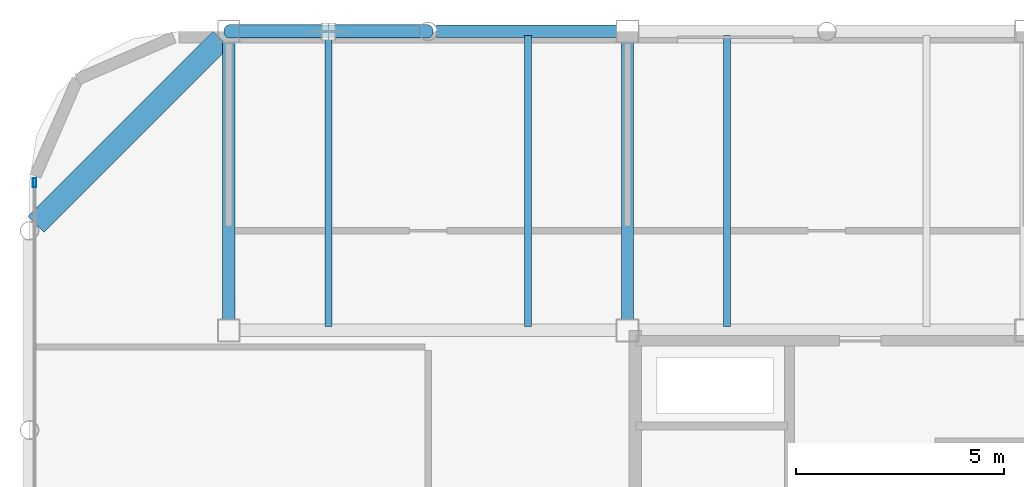
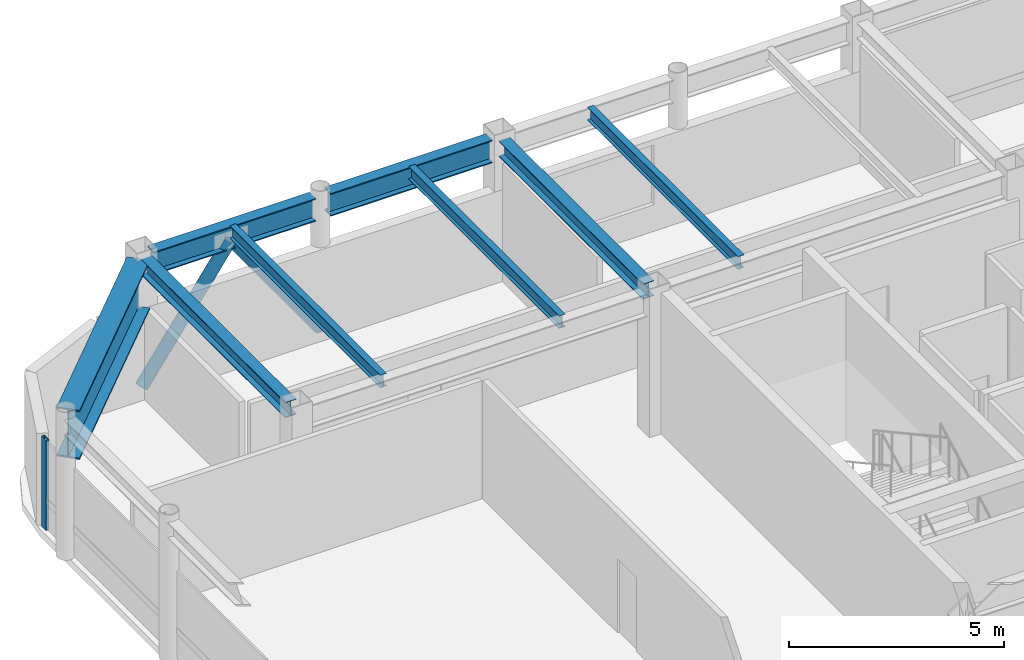
# One storey, part 12 of 21: 8 beams, 3 members, 1 element without a shape of its own.
"""IFC4 building model written with IfcOpenShell, lengths in metres."""

from ifc_helpers import new_model, si_unit, direction, frame, origin, origin_2d, place, context, subcontext, project, spatial, hollow_rectangle, hollow_circle, i_section, extrude, material, layer, layer_set, material_profile, profile_set, type_object, element, aggregate, save


model = new_model("IFC4")

# Units and contexts
model_context = context("Model", 3, precision=1e-05, world=origin(), true_north=direction((0.0, 1.0)))
body_context = subcontext(model_context, "Body", "Model", "MODEL_VIEW")
ifc_project = project(units=[si_unit("LENGTHUNIT", "METRE"), si_unit("AREAUNIT", "SQUARE_METRE"), si_unit("VOLUMEUNIT", "CUBIC_METRE"), si_unit("PLANEANGLEUNIT", "RADIAN"), si_unit("MASSUNIT", "GRAM", prefix="KILO")], contexts=[model_context])

# Site, building, storey
site_placement = place(None, origin())
site = spatial("IfcSite", under=ifc_project, at=site_placement, CompositionType="ELEMENT")
building_placement = place(site_placement, origin())
building = spatial("IfcBuilding", under=site, at=building_placement, Name="Kallvorn Hotel Tower", CompositionType="ELEMENT")
storey_placement = place(building_placement, frame((0.0, 0.0, 286.39990234375)))
storey = spatial("IfcBuildingStorey", under=building, at=storey_placement, Name="L71", CompositionType="ELEMENT", Elevation=286.39990234375)

# Beams
ifc_material_1 = material(Name="Structural steel S355JR", Category="steel")
ifc_material_profile_1 = material_profile(ifc_material_1, i_section(OverallWidth=0.300048828125, OverallDepth=0.43994140625, WebThickness=0.011474609375, FlangeThickness=0.02099609375, at=origin_2d()), Name="HE 450 A")
ifc_profile_set_1 = profile_set([ifc_material_profile_1], Name="Structural steel S355JR")
beam_type_1 = type_object("IfcBeamType", Name="BM_HE450A", PredefinedType="BEAM", material=ifc_profile_set_1)
for number, where, z_axis, x_axis, name in (
    (1, (-24.0, 7.449951171875, 3.780029296875), (0.0, 1.0, 0.0), (-1.0, 0.0, 0.0), "L72 Primary Y-Girder 33"),
    (2, (-14.39990234375, 7.449951171875, 3.780029296875), (0.0, 1.0, 0.0), (-1.0, 0.0, 0.0), "L72 Primary Y-Girder 36"),
):
    element("IfcBeam", number, at=place(storey_placement, frame(where, z_axis=z_axis, x_axis=x_axis)), inside=storey, type_object=beam_type_1, Name=name, PredefinedType="BEAM", context=body_context, shape_type="SweptSolid", body=[
        extrude(i_section(OverallWidth=0.300048828125, OverallDepth=0.43994140625, WebThickness=0.011474609375, FlangeThickness=0.02099609375, at=origin_2d()), origin(), (0.0, 0.0, 1.0), 6.699951171875),
    ])
ifc_material_2 = material(Name="Structural steel S355JR", Category="steel")
ifc_material_profile_2 = material_profile(ifc_material_2, i_section(OverallWidth=0.300048828125, OverallDepth=0.64990234375, WebThickness=0.01611328125, FlangeThickness=0.031005859375, at=origin_2d()), Name="HE 650 B")
ifc_profile_set_2 = profile_set([ifc_material_profile_2], Name="Structural steel S355JR")
beam_type_2 = type_object("IfcBeamType", Name="BM_HE650B", PredefinedType="BEAM", material=ifc_profile_set_2)
beam_1_placement = place(storey_placement, frame((-23.75, 14.39990234375, 3.675048828125), z_axis=(1.0, 0.0, 0.0), x_axis=(0.0, 1.0, 0.0)))
element("IfcBeam", 3, at=beam_1_placement, inside=storey, type_object=beam_type_2, Name="L72 Primary X-Girder 16", PredefinedType="BEAM", context=body_context, shape_type="SweptSolid", body=[
    extrude(i_section(OverallWidth=0.300048828125, OverallDepth=0.64990234375, WebThickness=0.01611328125, FlangeThickness=0.031005859375, at=origin_2d()), origin(), (0.0, 0.0, 1.0), 4.346435546875),
])
beam_2_placement = place(storey_placement, frame((-18.99658203125, 14.39990234375, 3.675048828125), z_axis=(1.0, 0.0, 0.0), x_axis=(0.0, 1.0, 0.0)))
element("IfcBeam", 4, at=beam_2_placement, inside=storey, type_object=beam_type_2, Name="L72 Primary X-Girder 17", PredefinedType="BEAM", context=body_context, shape_type="SweptSolid", body=[
    extrude(i_section(OverallWidth=0.300048828125, OverallDepth=0.64990234375, WebThickness=0.01611328125, FlangeThickness=0.031005859375, at=origin_2d()), origin(), (0.0, 0.0, 1.0), 4.3466796875),
])
ifc_material_3 = material(Name="Structural steel S355JR", Category="steel")
ifc_material_profile_3 = material_profile(ifc_material_3, i_section(OverallWidth=0.169921875, OverallDepth=0.360107421875, WebThickness=0.008056640625, FlangeThickness=0.0126953125, at=origin_2d()), Name="IPE 360")
ifc_profile_set_3 = profile_set([ifc_material_profile_3], Name="Structural steel S355JR")
beam_type_3 = type_object("IfcBeamType", Name="BM_IPE360", PredefinedType="JOIST", material=ifc_profile_set_3)
for number, where, z_axis, x_axis, name in (
    (5, (-21.60009765625, 7.300048828125, 3.820068359375), (0.0, 1.0, 0.0), (-1.0, 0.0, 0.0), "L72 Secondary Composite Joist 91"),
    (6, (-16.800048828125, 7.300048828125, 3.820068359375), (0.0, 1.0, 0.0), (-1.0, 0.0, 0.0), "L72 Secondary Composite Joist 93"),
    (7, (-12.0, 7.300048828125, 3.820068359375), (0.0, 1.0, 0.0), (-1.0, 0.0, 0.0), "L72 Secondary Composite Joist 95"),
):
    element("IfcBeam", number, at=place(storey_placement, frame(where, z_axis=z_axis, x_axis=x_axis)), inside=storey, type_object=beam_type_3, Name=name, PredefinedType="JOIST", context=body_context, shape_type="SweptSolid", body=[
        extrude(i_section(OverallWidth=0.169921875, OverallDepth=0.360107421875, WebThickness=0.008056640625, FlangeThickness=0.0126953125, at=origin_2d()), origin(), (0.0, 0.0, 1.0), 7.0),
    ])
ifc_material_4 = material(Name="Structural steel S355JR", Category="steel")
ifc_material_profile_4 = material_profile(ifc_material_4, i_section(OverallWidth=0.550048828125, OverallDepth=1.39990234375, WebThickness=0.02490234375, FlangeThickness=0.044921875, at=origin_2d()), Name="PG 1400x550x25x45")
ifc_profile_set_4 = profile_set([ifc_material_profile_4], Name="Structural steel S355JR")
beam_type_4 = type_object("IfcBeamType", Name="BM_PG_1400", PredefinedType="BEAM", material=ifc_profile_set_4)
beam_3_placement = place(storey_placement, frame((-28.6455078125, 9.75439453125, 3.300048828125), z_axis=(0.707087419273, 0.70712614257, 0.0), x_axis=(-0.70712614257, 0.707087419273, 0.0)))
element("IfcBeam", 8, at=beam_3_placement, inside=storey, type_object=beam_type_4, Name="L72 Rounded Corner Tie Beam 87", PredefinedType="BEAM", context=body_context, shape_type="SweptSolid", body=[
    extrude(i_section(OverallWidth=0.550048828125, OverallDepth=1.39990234375, WebThickness=0.02490234375, FlangeThickness=0.044921875, at=origin_2d()), origin(), (0.0, 0.0, 1.0), 6.3046875),
])

# Curtain wall, member
ifc_material_5 = material(Name="Thermally broken black-anodised aluminium AA 6063-T6", Category="aluminium")
ifc_layer = layer(ifc_material_5, 0.25)
ifc_layer_set = layer_set([ifc_layer], Name="CW_SYS_6_SUMMIT_OBS")
curtain_wall_type = type_object("IfcCurtainWallType", Name="CW_SYS_6_SUMMIT_OBS", PredefinedType="USERDEFINED", material=ifc_layer_set)
curtain_wall_placement = place(storey_placement, origin())
curtain_wall = element("IfcCurtainWall", 9, at=curtain_wall_placement, inside=storey, type_object=curtain_wall_type, Name="L71 Dark-Glass Curtain Wall CW-L71-WN", ObjectType="UNITISED CURTAIN WALL", PredefinedType="USERDEFINED")
ifc_material_6 = material(Name="Thermally broken black-anodised aluminium AA 6063-T6", Category="aluminium")
ifc_material_profile_5 = material_profile(ifc_material_6, hollow_rectangle(XDim=0.080078125, YDim=0.219970703125, WallThickness=0.0048828125, at=origin_2d()), Name="MUL 220x80")
ifc_profile_set_5 = profile_set([ifc_material_profile_5], Name="Thermally broken black-anodised aluminium AA 6063-T6")
member_type_1 = type_object("IfcMemberType", Name="CW_MULLION_220x80", PredefinedType="MULLION", material=ifc_profile_set_5)
member_placement = place(storey_placement, frame((-28.679931640625, 10.760009765625, 0.02001953125), z_axis=(0.0, 0.0, 1.0), x_axis=(1.0, 0.0, 0.0)))
member = element("IfcMember", 10, at=member_placement, type_object=member_type_1, Name="CW-L71-WN Mullion 01", PredefinedType="MULLION", context=body_context, shape_type="SweptSolid", body=[
    extrude(hollow_rectangle(XDim=0.080078125, YDim=0.219970703125, WallThickness=0.0048828125, at=origin_2d()), origin(), (0.0, 0.0, 1.0), 2.56005859375),
])
aggregate(curtain_wall, [member])

# Members
ifc_material_7 = material(Name="Structural steel S355J2H", Category="steel")
ifc_material_profile_6 = material_profile(ifc_material_7, hollow_circle(Radius=0.161865234375, WallThickness=0.012451171875, at=origin_2d()), Name="CHS 323.9x12.5")
ifc_profile_set_6 = profile_set([ifc_material_profile_6], Name="Structural steel S355J2H")
member_type_2 = type_object("IfcMemberType", Name="MBR_EXO_CHS323", PredefinedType="BRACE", material=ifc_profile_set_6)
for number, where, z_axis, x_axis, name in (
    (11, (-23.98828125, 14.39990234375, 0.1962890625), (0.581238193719, 0.0, 0.813733471207), (0.0, 1.0, 0.0), "L71 Exoskeleton K-Brace N1A"),
    (12, (-19.211669921875, 14.39990234375, 0.1962890625), (-0.581238193719, 0.0, 0.813733471207), (0.0, -1.0, 0.0), "L71 Exoskeleton K-Brace N1B"),
):
    element("IfcMember", number, at=place(storey_placement, frame(where, z_axis=z_axis, x_axis=x_axis)), inside=storey, type_object=member_type_2, Name=name, PredefinedType="BRACE", context=body_context, shape_type="SweptSolid", body=[
        extrude(hollow_circle(Radius=0.161865234375, WallThickness=0.012451171875, at=origin_2d()), origin(), (0.0, 0.0, 1.0), 4.089111328125),
    ])

save(model, "model.ifc")
